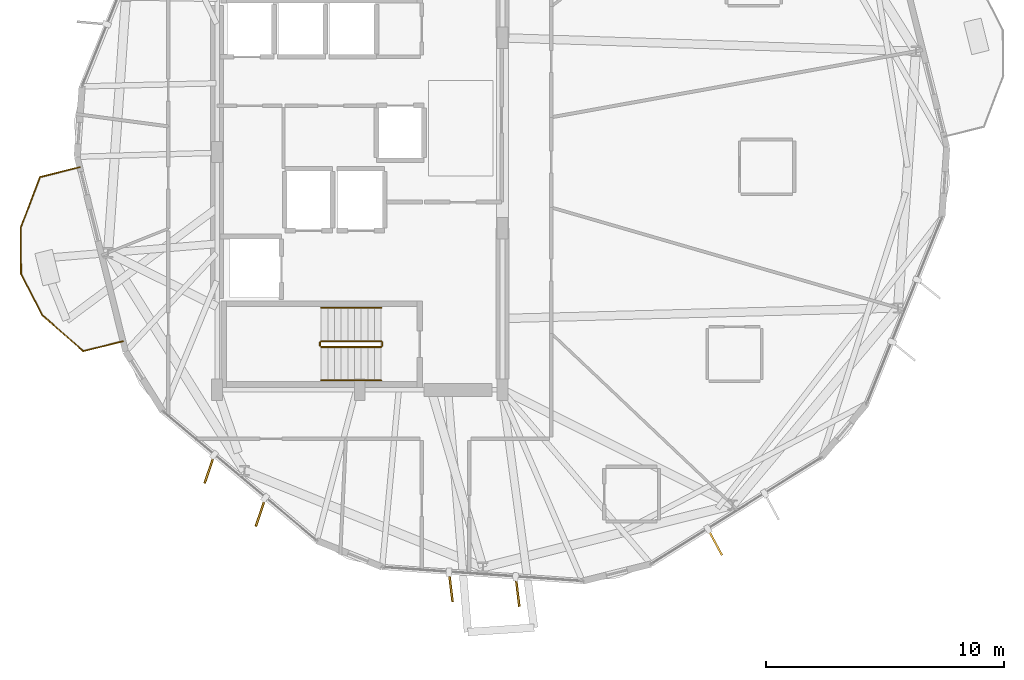
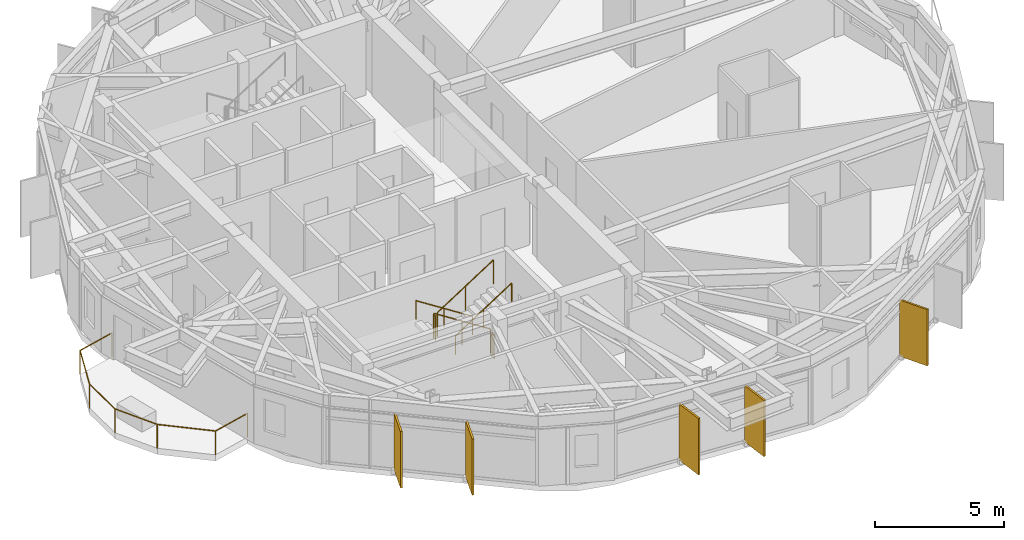
# One storey, part 19 of 22: 7 railings, 5 shading devices.
"""IFC4 building model written with IfcOpenShell, lengths in metres."""

from ifc_helpers import new_model, si_unit, direction, frame, origin, origin_2d, place, context, subcontext, project, spatial, rectangle, circle, extrude, material, layer, layer_set, type_object, element, save


model = new_model("IFC4")

# Units and contexts
model_context = context("Model", 3, precision=1e-05, world=origin(), true_north=direction((0.0, 1.0)))
body_context = subcontext(model_context, "Body", "Model", "MODEL_VIEW")
ifc_project = project(units=[si_unit("LENGTHUNIT", "METRE"), si_unit("AREAUNIT", "SQUARE_METRE"), si_unit("VOLUMEUNIT", "CUBIC_METRE"), si_unit("PLANEANGLEUNIT", "RADIAN"), si_unit("MASSUNIT", "GRAM", prefix="KILO")], contexts=[model_context])

# Site, building, storey
site_placement = place(None, origin())
site = spatial("IfcSite", under=ifc_project, at=site_placement, CompositionType="ELEMENT")
building_placement = place(site_placement, origin())
building = spatial("IfcBuilding", under=site, at=building_placement, Name="Soratama Intermodal Tower", CompositionType="ELEMENT")
storey_placement = place(building_placement, frame((0.0, 0.0, 157.0)))
storey = spatial("IfcBuildingStorey", under=building, at=storey_placement, Name="L38", CompositionType="ELEMENT", Elevation=157.0)

# Railings
ifc_material_1 = material(Name="Laminated glass and stainless steel balustrade", Category="steel")
railing_type_1 = type_object("IfcRailingType", Name="RL-BAL-1150", PredefinedType="BALUSTRADE", material=ifc_material_1)
railing_1_placement = place(storey_placement, frame((28.6494140625, 17.044189453125, 0.0)))
element("IfcRailing", 1, at=railing_1_placement, inside=storey, type_object=railing_type_1, Name="L38 Balcony Balustrade 3", PredefinedType="BALUSTRADE", context=body_context, shape_type="SweptSolid", body=[
    extrude(circle(Radius=0.02392578125, at=origin_2d()), frame((0.0, 0.0, 1.1259765625), z_axis=(-0.97035085623, -0.241700674003, 0.0), x_axis=(0.241700674003, -0.97035085623, 0.0)), (0.0, 0.0, 1.0), 1.72021484375),
    extrude(circle(Radius=0.02392578125, at=origin_2d()), frame((-1.669189453125, -0.415771484375, 1.1259765625), z_axis=(-0.752339536855, 0.658775546969, 0.0), x_axis=(-0.658775546969, -0.752339536855, 0.0)), (0.0, 0.0, 1.0), 2.296142578125),
    extrude(circle(Radius=0.02392578125, at=origin_2d()), frame((-3.396728515625, 1.096923828125, 1.1259765625), z_axis=(-0.459868440242, 0.887987059404, 0.0), x_axis=(-0.887987059404, -0.459868440242, 0.0)), (0.0, 0.0, 1.0), 1.937744140625),
    extrude(circle(Radius=0.02392578125, at=origin_2d()), frame((-4.287841796875, 2.817626953125, 1.1259765625), z_axis=(-0.010204835867, 0.999947929307, 0.0), x_axis=(-0.999947929307, -0.010204835867, 0.0)), (0.0, 0.0, 1.0), 1.937744140625),
    extrude(circle(Radius=0.02392578125, at=origin_2d()), frame((-4.3076171875, 4.75537109375, 1.1259765625), z_axis=(0.35575656307, 0.934578657916, 0.0), x_axis=(-0.934578657916, 0.35575656307, 0.0)), (0.0, 0.0, 1.0), 2.296142578125),
    extrude(circle(Radius=0.02392578125, at=origin_2d()), frame((-3.49072265625, 6.9013671875, 1.1259765625), z_axis=(0.970375850743, 0.2416003069, 0.0), x_axis=(-0.2416003069, 0.970375850743, 0.0)), (0.0, 0.0, 1.0), 1.719970703125),
    extrude(circle(Radius=0.02099609375, at=origin_2d()), origin(), (0.0, 0.0, 1.0), 1.101806640625),
    extrude(circle(Radius=0.02099609375, at=origin_2d()), frame((-1.669189453125, -0.415771484375, 0.0)), (0.0, 0.0, 1.0), 1.101806640625),
    extrude(circle(Radius=0.02099609375, at=origin_2d()), frame((-3.396728515625, 1.096923828125, 0.0)), (0.0, 0.0, 1.0), 1.101806640625),
    extrude(circle(Radius=0.02099609375, at=origin_2d()), frame((-4.287841796875, 2.817626953125, 0.0)), (0.0, 0.0, 1.0), 1.101806640625),
    extrude(circle(Radius=0.02099609375, at=origin_2d()), frame((-4.3076171875, 4.75537109375, 0.0)), (0.0, 0.0, 1.0), 1.101806640625),
    extrude(circle(Radius=0.02099609375, at=origin_2d()), frame((-3.49072265625, 6.9013671875, 0.0)), (0.0, 0.0, 1.0), 1.101806640625),
    extrude(circle(Radius=0.02099609375, at=origin_2d()), frame((-1.82177734375, 7.31689453125, 0.0)), (0.0, 0.0, 1.0), 1.101806640625),
])
ifc_material_2 = material(Name="Painted steel stair guardrail", Category="steel")
railing_type_2 = type_object("IfcRailingType", Name="RL-STAIR-GUARD", PredefinedType="GUARDRAIL", material=ifc_material_2)
railing_2_placement = place(storey_placement, frame((39.5, 17.050048828125, 0.179931640625)))
element("IfcRailing", 2, at=railing_2_placement, inside=storey, type_object=railing_type_2, Name="L38 ST-1 stair guard 1", PredefinedType="GUARDRAIL", context=body_context, shape_type="SweptSolid", body=[
    extrude(circle(Radius=0.02392578125, at=origin_2d()), frame((0.0, 0.0, 1.1259765625), z_axis=(-0.841162588446, 0.0, 0.540782303519), x_axis=(0.0, -1.0, 0.0)), (0.0, 0.0, 1.0), 2.995849609375),
    extrude(circle(Radius=0.02099609375, at=origin_2d()), origin(), (0.0, 0.0, 1.0), 1.101806640625),
    extrude(circle(Radius=0.02099609375, at=origin_2d()), frame((-1.260009765625, 0.0, 0.81005859375)), (0.0, 0.0, 1.0), 1.101806640625),
    extrude(circle(Radius=0.02099609375, at=origin_2d()), frame((-2.52001953125, 0.0, 1.6201171875)), (0.0, 0.0, 1.0), 1.101806640625),
])
railing_3_placement = place(storey_placement, frame((36.929931640625, 17.0, 1.800048828125)))
element("IfcRailing", 3, at=railing_3_placement, inside=storey, type_object=railing_type_2, Name="L38 ST-1 stair guard 2", PredefinedType="GUARDRAIL", context=body_context, shape_type="SweptSolid", body=[
    extrude(circle(Radius=0.02392578125, at=origin_2d()), frame((0.0, 0.0, 1.1259765625), z_axis=(0.0, -1.0, 0.0), x_axis=(1.0, 0.0, 0.0)), (0.0, 0.0, 1.0), 0.14990234375),
    extrude(circle(Radius=0.02099609375, at=origin_2d()), origin(), (0.0, 0.0, 1.0), 1.101806640625),
    extrude(circle(Radius=0.02099609375, at=origin_2d()), frame((0.0, -0.14990234375, 0.0)), (0.0, 0.0, 1.0), 1.101806640625),
])
railing_4_placement = place(storey_placement, frame((36.97998046875, 16.800048828125, 1.97998046875)))
element("IfcRailing", 4, at=railing_4_placement, inside=storey, type_object=railing_type_2, Name="L38 ST-1 stair guard 3", PredefinedType="GUARDRAIL", context=body_context, shape_type="SweptSolid", body=[
    extrude(circle(Radius=0.02392578125, at=origin_2d()), frame((0.0, 0.0, 1.1259765625), z_axis=(0.841162588446, 0.0, 0.540782303519), x_axis=(0.0, 1.0, 0.0)), (0.0, 0.0, 1.0), 2.995849609375),
    extrude(circle(Radius=0.02099609375, at=origin_2d()), origin(), (0.0, 0.0, 1.0), 1.101806640625),
    extrude(circle(Radius=0.02099609375, at=origin_2d()), frame((1.260009765625, 0.0, 0.81005859375)), (0.0, 0.0, 1.0), 1.101806640625),
    extrude(circle(Radius=0.02099609375, at=origin_2d()), frame((2.52001953125, 0.0, 1.6201171875)), (0.0, 0.0, 1.0), 1.101806640625),
])
railing_5_placement = place(storey_placement, frame((39.550048828125, 17.0, 0.0)))
element("IfcRailing", 5, at=railing_5_placement, inside=storey, type_object=railing_type_2, Name="L38 ST-1 stair guard 4", PredefinedType="GUARDRAIL", context=body_context, shape_type="SweptSolid", body=[
    extrude(circle(Radius=0.02392578125, at=origin_2d()), frame((0.0, 0.0, 1.1259765625), z_axis=(0.0, -1.0, 0.0), x_axis=(1.0, 0.0, 0.0)), (0.0, 0.0, 1.0), 0.14990234375),
    extrude(circle(Radius=0.02099609375, at=origin_2d()), origin(), (0.0, 0.0, 1.0), 1.101806640625),
    extrude(circle(Radius=0.02099609375, at=origin_2d()), frame((0.0, -0.14990234375, 0.0)), (0.0, 0.0, 1.0), 1.101806640625),
])
ifc_material_3 = material(Name="Brushed stainless steel handrail", Category="steel")
railing_type_3 = type_object("IfcRailingType", Name="RL-STAIR-HAND", PredefinedType="HANDRAIL", material=ifc_material_3)
railing_6_placement = place(storey_placement, frame((39.5, 18.449951171875, 0.179931640625)))
element("IfcRailing", 6, at=railing_6_placement, inside=storey, type_object=railing_type_3, Name="L38 ST-1 stair handrail 1", PredefinedType="HANDRAIL", context=body_context, shape_type="SweptSolid", body=[
    extrude(circle(Radius=0.02392578125, at=origin_2d()), frame((0.0, 0.0, 0.8759765625), z_axis=(-0.841162588446, 0.0, 0.540782303519), x_axis=(0.0, -1.0, 0.0)), (0.0, 0.0, 1.0), 2.995849609375),
    extrude(circle(Radius=0.02099609375, at=origin_2d()), origin(), (0.0, 0.0, 1.0), 0.851806640625),
    extrude(circle(Radius=0.02099609375, at=origin_2d()), frame((-1.260009765625, 0.0, 0.81005859375)), (0.0, 0.0, 1.0), 0.851806640625),
    extrude(circle(Radius=0.02099609375, at=origin_2d()), frame((-2.52001953125, 0.0, 1.6201171875)), (0.0, 0.0, 1.0), 0.851806640625),
])
railing_7_placement = place(storey_placement, frame((36.97998046875, 15.39990234375, 1.97998046875)))
element("IfcRailing", 7, at=railing_7_placement, inside=storey, type_object=railing_type_3, Name="L38 ST-1 stair handrail 2", PredefinedType="HANDRAIL", context=body_context, shape_type="SweptSolid", body=[
    extrude(circle(Radius=0.02392578125, at=origin_2d()), frame((0.0, 0.0, 0.8759765625), z_axis=(0.841162588446, 0.0, 0.540782303519), x_axis=(0.0, 1.0, 0.0)), (0.0, 0.0, 1.0), 2.995849609375),
    extrude(circle(Radius=0.02099609375, at=origin_2d()), origin(), (0.0, 0.0, 1.0), 0.851806640625),
    extrude(circle(Radius=0.02099609375, at=origin_2d()), frame((1.260009765625, 0.0, 0.81005859375)), (0.0, 0.0, 1.0), 0.851806640625),
    extrude(circle(Radius=0.02099609375, at=origin_2d()), frame((2.52001953125, 0.0, 1.6201171875)), (0.0, 0.0, 1.0), 0.851806640625),
])

# Shading devices
ifc_material_4 = material(Name="Champagne anodised aluminium solar fin", Category="aluminium")
ifc_layer = layer(ifc_material_4, 0.080078125)
ifc_layer_set = layer_set([ifc_layer], Name="Champagne anodised aluminium solar fin")
shading_device_type = type_object("IfcShadingDeviceType", Name="SH-FIN-1250", PredefinedType="USERDEFINED", material=ifc_layer_set)
for number, where, z_axis, x_axis, name in (
    (8, (32.277587890625, 11.670654296875, 0.02001953125), (0.0, 0.0, 1.0), (-0.319620898688, -0.947545503457, 0.0), "L38 Solar Fin F06-1"),
    (9, (34.43212890625, 9.861572265625, 0.02001953125), (0.0, 0.0, 1.0), (-0.319620898688, -0.947545503457, 0.0), "L38 Solar Fin F06-2"),
    (10, (42.427001953125, 6.713623046875, 0.02001953125), (0.0, 0.0, 1.0), (0.119790293837, -0.992799217114, 0.0), "L38 Solar Fin F07-1"),
    (11, (45.2333984375, 6.516357421875, 0.02001953125), (0.0, 0.0, 1.0), (0.119790293837, -0.992799217114, 0.0), "L38 Solar Fin F07-2"),
    (12, (53.533203125, 8.597900390625, 0.02001953125), (0.0, 0.0, 1.0), (0.47301214948, -0.881055904267, 0.0), "L38 Solar Fin F08-1"),
):
    element("IfcShadingDevice", number, at=place(storey_placement, frame(where, z_axis=z_axis, x_axis=x_axis)), inside=storey, type_object=shading_device_type, Name=name, ObjectType="FIN", PredefinedType="USERDEFINED", context=body_context, shape_type="SweptSolid", body=[
        extrude(rectangle(XDim=1.25, YDim=0.080078125, at=origin_2d()), origin(), (0.0, 0.0, 1.0), 2.658935546875),
    ])

save(model, "model.ifc")
